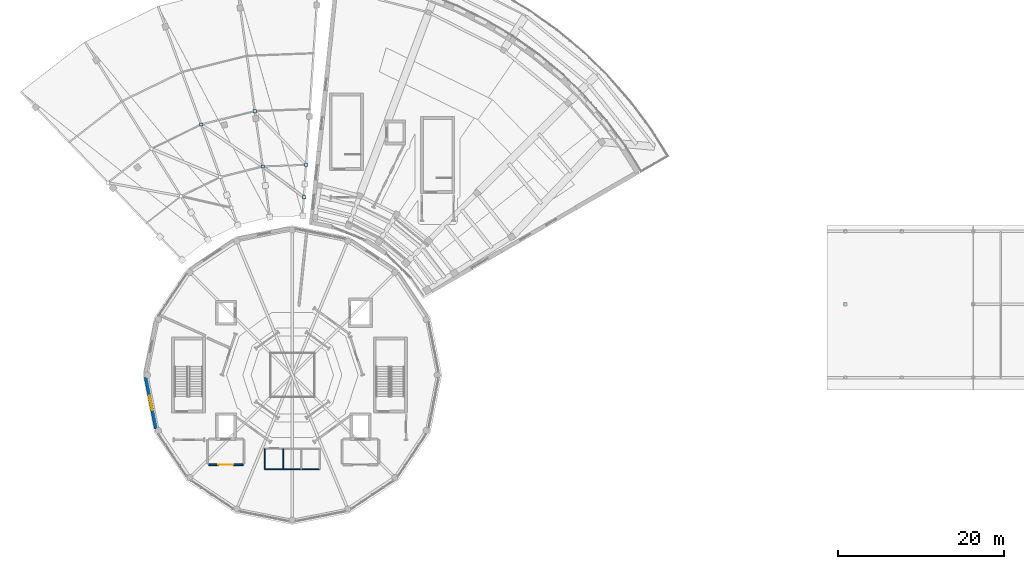
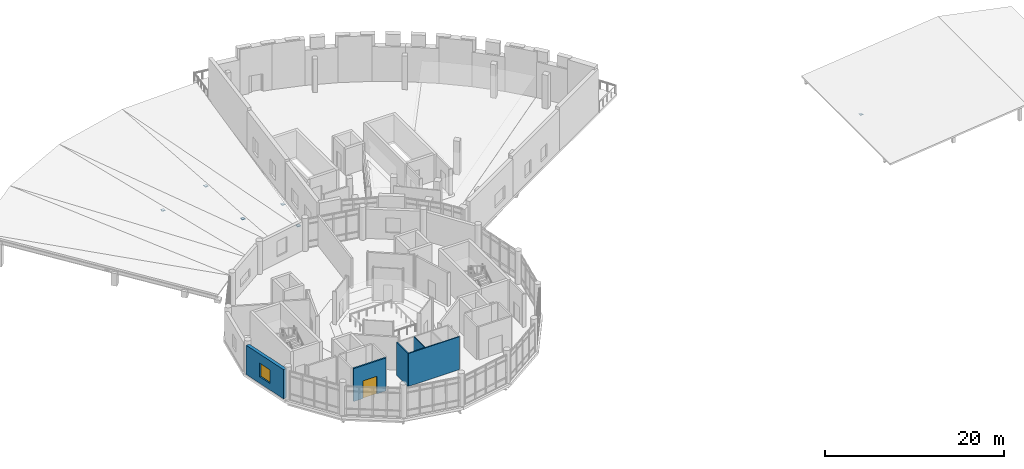
# One storey, part 20 of 27: 7 plates, 5 walls, 1 door, 1 window, 2 openings.
"""IFC4 building model written with IfcOpenShell, lengths in metres."""

import ifcopenshell
import ifcopenshell.guid

model = None  # the IFC model being written
_history = None  # IfcOwnerHistory: only IFC2X3 demands one
_inside = {}  # id of a spatial element -> (the spatial element, [elements in it])
_under = {}  # id of a project, library or spatial element -> (it, [spatial elements below it])
_declared = {}  # id of a project -> (the project, [libraries it declares])
_typed = {}  # id of a type object -> (the type object, [elements of that type])
_made_of = {}  # id of a material, layer set ... -> (it, [elements and type objects made of it])


def new_model(schema):
    """Start an empty IFC model of exactly this schema.

    Asked for "IFC4X3", IfcOpenShell would pick the latest addendum, in which some entities
    have other attributes; the version numbers below select the first issue.
    IFC2X3 requires an IfcOwnerHistory on every rooted entity: one is made here for all.
    """
    global model, _history
    if schema == "IFC4X3":
        model = ifcopenshell.file(schema_version=(4, 3, 0, 0))
    else:
        model = ifcopenshell.file(schema=schema)
    _inside.clear()
    _under.clear()
    _declared.clear()
    _typed.clear()
    _made_of.clear()
    _history = None
    if model.schema == "IFC2X3":
        org = make("IfcOrganization", Name="unknown")
        user = make(
            "IfcPersonAndOrganization",
            ThePerson=make("IfcPerson", FamilyName="unknown"),
            TheOrganization=org,
        )
        app = make(
            "IfcApplication",
            ApplicationDeveloper=org,
            Version="unknown",
            ApplicationFullName="unknown",
            ApplicationIdentifier="unknown",
        )
        _history = make(
            "IfcOwnerHistory",
            OwningUser=user,
            OwningApplication=app,
            ChangeAction="ADDED",
            CreationDate=0,
        )
    return model


def make(cls, **values):
    """One entity of the class cls with the attributes given. An attribute that is None is left unset."""
    return model.create_entity(
        cls, **{name: value for name, value in values.items() if value is not None}
    )


def rooted(cls, **values):
    """An entity with a GlobalId (a new one), such as an element, a storey or a relation."""
    return make(cls, GlobalId=ifcopenshell.guid.new(), OwnerHistory=_history, **values)


def si_unit(unit_type, name, prefix=None):
    """IfcSIUnit, for example si_unit("LENGTHUNIT", "METRE", prefix="MILLI")."""
    return make("IfcSIUnit", UnitType=unit_type, Prefix=prefix, Name=name)


def assignment(units):
    """IfcUnitAssignment: the units of a project."""
    return None if units is None else make("IfcUnitAssignment", Units=units)


def point(xyz):
    """IfcCartesianPoint."""
    return None if xyz is None else make("IfcCartesianPoint", Coordinates=xyz)


def direction(xyz):
    """IfcDirection."""
    return None if xyz is None else make("IfcDirection", DirectionRatios=xyz)


def frame(location, z_axis=None, x_axis=None):
    """IfcAxis2Placement3D, a coordinate frame: its origin and axes. An axis left out is left unset."""
    return make(
        "IfcAxis2Placement3D",
        Location=point(location),
        Axis=direction(z_axis),
        RefDirection=direction(x_axis),
    )


def frame_2d(location, x_axis=None):
    """IfcAxis2Placement2D, a coordinate frame in the plane: its origin and x axis."""
    return make(
        "IfcAxis2Placement2D", Location=point(location), RefDirection=direction(x_axis)
    )


def origin():
    """The frame at (0, 0, 0) with its axes left unset."""
    return frame((0.0, 0.0, 0.0))


def origin_2d():
    """The frame at (0, 0) in the plane with its x axis left unset."""
    return frame_2d((0.0, 0.0))


def place(relative_to, where):
    """IfcLocalPlacement: puts the frame where relative to a parent placement (None: the world)."""
    return make(
        "IfcLocalPlacement", PlacementRelTo=relative_to, RelativePlacement=where
    )


def context(
    kind, dimensions, precision=None, world=None, true_north=None, identifier=None
):
    """IfcGeometricRepresentationContext, for example the 3D "Model" context."""
    return make(
        "IfcGeometricRepresentationContext",
        ContextIdentifier=identifier,
        ContextType=kind,
        CoordinateSpaceDimension=dimensions,
        Precision=precision,
        WorldCoordinateSystem=world,
        TrueNorth=true_north,
    )


def subcontext(parent, identifier, kind, view, scale=None):
    """IfcGeometricRepresentationSubContext, for example "Body" below "Model"."""
    return make(
        "IfcGeometricRepresentationSubContext",
        ContextIdentifier=identifier,
        ContextType=kind,
        ParentContext=parent,
        TargetScale=scale,
        TargetView=view,
    )


def project(units=None, contexts=None):
    """IfcProject with its units and contexts."""
    return rooted(
        "IfcProject",
        Name="project",
        RepresentationContexts=contexts,
        UnitsInContext=assignment(units),
    )


def spatial(cls, under=None, at=None, **own):
    """A site, building, storey or space (cls), placed at a placement, below another one or the project."""
    s = rooted(cls, ObjectPlacement=at, **own)
    if under is not None:
        _under.setdefault(under.id(), (under, []))[1].append(s)
    return s


def profile(cls, at=None, kind="AREA", **sizes):
    """A parametric profile (cls). Its sizes go by their IFC names, for example OverallWidth=200.0."""
    return make(cls, ProfileType=kind, Position=at, **sizes)


def rectangle(**sizes):
    """IfcRectangleProfileDef."""
    return profile("IfcRectangleProfileDef", **sizes)


def extrude(swept, where, along, depth):
    """IfcExtrudedAreaSolid: the profile swept, set in the frame where, extruded along a direction by depth."""
    return make(
        "IfcExtrudedAreaSolid",
        SweptArea=swept,
        Position=where,
        ExtrudedDirection=direction(along),
        Depth=depth,
    )


def shape(context_of_items, identifier, shape_type, items):
    """IfcShapeRepresentation: the items that make up one representation, for example the "Body"."""
    return make(
        "IfcShapeRepresentation",
        ContextOfItems=context_of_items,
        RepresentationIdentifier=identifier,
        RepresentationType=shape_type,
        Items=items,
    )


def material(Name=None, Category=None):
    """IfcMaterial."""
    return make("IfcMaterial", Name=Name, Category=Category)


def layer(
    of_material, thickness, ventilated=None, Name=None, Category=None, Priority=None
):
    """IfcMaterialLayer: one layer of a wall or slab, of a material (None: an air gap)."""
    return make(
        "IfcMaterialLayer",
        Material=of_material,
        LayerThickness=thickness,
        IsVentilated=ventilated,
        Name=Name,
        Category=Category,
        Priority=Priority,
    )


def layer_set(layers, Name=None):
    """IfcMaterialLayerSet."""
    return make("IfcMaterialLayerSet", MaterialLayers=layers, LayerSetName=Name)


def made_of(thing, what):
    """Note that an element or type object is made of a material, layer set ...; save() writes the relation."""
    if what is not None:
        _made_of.setdefault(what.id(), (what, []))[1].append(thing)
    return thing


def type_object(cls, material=None, **own):
    """A type object (cls), such as IfcWallType, which elements share."""
    return made_of(rooted(cls, **own), material)


def element(
    cls,
    number,
    at=None,
    inside=None,
    cuts=None,
    type_object=None,
    material=None,
    context=None,
    identifier="Body",
    shape_type=None,
    held_by="IfcProductDefinitionShape",
    body=None,
    shapes=None,
    **own,
):
    """One element of the class cls, such as IfcWall. Its Tag is "e" and its number.

    at: its placement. inside: the storey or other place that contains it. cuts: it is an
    opening in that element (IfcRelVoidsElement). A single representation is given by context,
    identifier, shape_type and body (its items); several are given by shapes. held_by: the class
    of the entity that holds the representations. save() writes the other relations.
    """
    e = rooted(cls, Tag="e%d" % number, ObjectPlacement=at, **own)
    if body is not None:
        shapes = [shape(context, identifier, shape_type, body)]
    if shapes is not None:
        e.Representation = make(held_by, Representations=shapes)
    if inside is not None:
        _inside.setdefault(inside.id(), (inside, []))[1].append(e)
    if cuts is not None:
        rooted(
            "IfcRelVoidsElement", RelatingBuildingElement=cuts, RelatedOpeningElement=e
        )
    if type_object is not None:
        _typed.setdefault(type_object.id(), (type_object, []))[1].append(e)
    return made_of(e, material)


def fill(opening, filler):
    """IfcRelFillsElement: the door or window that sits in an opening."""
    return rooted(
        "IfcRelFillsElement",
        RelatingOpeningElement=opening,
        RelatedBuildingElement=filler,
    )


def aggregate(whole, parts):
    """IfcRelAggregates: a whole, such as a stair, and the parts it consists of."""
    return rooted("IfcRelAggregates", RelatingObject=whole, RelatedObjects=parts)


def save(model, path):
    """Write the relations noted so far, then the file.

    IfcRelAggregates (storeys below a building ...), IfcRelContainedInSpatialStructure (elements
    in a storey), IfcRelDefinesByType, IfcRelAssociatesMaterial and IfcRelDeclares: one each for
    every whole, place, type object, material and project.
    """
    for whole, parts in _under.values():
        aggregate(whole, parts)
    for where, things in _inside.values():
        rooted(
            "IfcRelContainedInSpatialStructure",
            RelatedElements=things,
            RelatingStructure=where,
        )
    for kind, things in _typed.values():
        rooted("IfcRelDefinesByType", RelatedObjects=things, RelatingType=kind)
    for what, things in _made_of.values():
        rooted("IfcRelAssociatesMaterial", RelatedObjects=things, RelatingMaterial=what)
    for by, libraries in _declared.values():
        rooted("IfcRelDeclares", RelatingContext=by, RelatedDefinitions=libraries)
    model.write(path)


model = new_model("IFC4")

# Units and contexts
model_context = context("Model", 3, precision=1e-05, world=origin(), true_north=direction((0.0, 1.0)))
body_context = subcontext(model_context, "Body", "Model", "MODEL_VIEW")
ifc_project = project(units=[si_unit("LENGTHUNIT", "METRE"), si_unit("AREAUNIT", "SQUARE_METRE"), si_unit("VOLUMEUNIT", "CUBIC_METRE"), si_unit("PLANEANGLEUNIT", "RADIAN"), si_unit("MASSUNIT", "GRAM", prefix="KILO")], contexts=[model_context])

# Site, building, storey
site_placement = place(None, origin())
site = spatial("IfcSite", under=ifc_project, at=site_placement, CompositionType="ELEMENT")
building_placement = place(site_placement, origin())
building = spatial("IfcBuilding", under=site, at=building_placement, Name="Soyqirgoq Riverine Aquarium", CompositionType="ELEMENT")
storey_placement = place(building_placement, frame((0.0, 0.0, 19.800048828125)))
storey = spatial("IfcBuildingStorey", under=building, at=storey_placement, Name="L05", CompositionType="ELEMENT", Elevation=19.800048828125)

# Plates
ifc_material_1 = material(Name="Structural steel S355", Category="steel")
ifc_layer_1 = layer(ifc_material_1, 0.031982421875)
ifc_layer_set_1 = layer_set([ifc_layer_1], Name="Structural steel S355")
plate_type_1 = type_object("IfcPlateType", Name="NodeGussetPlate_32_S355", PredefinedType="SHEET", material=ifc_layer_set_1)
for number, where, z_axis, x_axis, name in (
    (1, (57.681396484375, 82.315185546875, 0.85693359375), (0.0, 0.0, 1.0), (1.0, 0.0, 0.0), "V4 Lateral Wind Brace End Gusset 133"),
    (2, (51.476806640625, 88.78271484375, 1.60107421875), (0.0, 0.0, 1.0), (1.0, 0.0, 0.0), "V4 Lateral Wind Brace End Gusset 134"),
    (3, (52.42529296875, 82.117919921875, 0.8818359375), (0.0, 0.0, 1.0), (1.0, 0.0, 0.0), "V4 Lateral Wind Brace End Gusset 135"),
    (4, (45.02001953125, 87.1669921875, 1.5458984375), (0.0, 0.0, 1.0), (1.0, 0.0, 0.0), "V4 Lateral Wind Brace End Gusset 136"),
    (5, (57.421142578125, 78.39697265625, 0.3974609375), (0.0, 0.0, 1.0), (1.0, 0.0, 0.0), "V4 Lateral Sub-Rafter Brace End Gusset 157"),
    (6, (52.42529296875, 82.117919921875, 0.841796875), (0.0, 0.0, 1.0), (1.0, 0.0, 0.0), "V4 Lateral Sub-Rafter Brace End Gusset 158"),
):
    element("IfcPlate", number, at=place(storey_placement, frame(where, z_axis=z_axis, x_axis=x_axis)), inside=storey, type_object=plate_type_1, Name=name, PredefinedType="SHEET", context=body_context, shape_type="SweptSolid", body=[
        extrude(rectangle(XDim=0.39990234375, YDim=0.39990234375, at=origin_2d()), origin(), (0.0, 0.0, 1.0), 0.031982421875),
    ])
ifc_material_2 = material(Name="Structural steel S355", Category="steel")
ifc_layer_2 = layer(ifc_material_2, 0.02490234375)
ifc_layer_set_2 = layer_set([ifc_layer_2], Name="Structural steel S355")
plate_type_2 = type_object("IfcPlateType", Name="TubeCapPlate_25_S355", PredefinedType="USERDEFINED", material=ifc_layer_set_2)
plate_placement = place(storey_placement, frame((122.60009765625, 65.5, 0.58837890625), z_axis=(0.0, 0.0, 1.0), x_axis=(1.0, 0.0, 0.0)))
element("IfcPlate", 7, at=plate_placement, inside=storey, type_object=plate_type_2, Name="V7 Roof Column W02 Hollow Section Top Cap Plate", ObjectType="FLANGE_PLATE", PredefinedType="USERDEFINED", context=body_context, shape_type="SweptSolid", body=[
    extrude(rectangle(XDim=0.3798828125, YDim=0.3798828125, at=origin_2d()), origin(), (0.0, 0.0, 1.0), 0.02490234375),
])

# Walls
ifc_material_3 = material(Name="Moisture-resistant cement-board wet-room partition", Category="gypsum")
ifc_layer_3 = layer(ifc_material_3, 0.125)
ifc_layer_set_3 = layer_set([ifc_layer_3], Name="Moisture-resistant cement-board wet-room partition")
wall_type_1 = type_object("IfcWallType", Name="PartitionWall_125_Wet", PredefinedType="PARTITIONING", material=ifc_layer_set_3)
wall_1_placement = place(storey_placement, frame((52.699951171875, 45.64990234375, 0.0), z_axis=(0.0, 0.0, 1.0), x_axis=(1.0, 0.0, 0.0)))
element("IfcWall", 8, at=wall_1_placement, inside=storey, type_object=wall_type_1, Name="V1 L05 WC Suite Back Wall", PredefinedType="PARTITIONING", context=body_context, shape_type="SweptSolid", body=[
    extrude(rectangle(XDim=6.60009765625, YDim=0.125, at=frame_2d((3.300048828125, 0.0))), origin(), (0.0, 0.0, 1.0), 4.5),
])
for number, where, z_axis, x_axis, name in (
    (9, (52.699951171875, 45.64990234375, 0.0), (0.0, 0.0, 1.0), (0.0, 1.0, 0.0), "V1 L05 WC Suite West Wall"),
    (10, (54.89990234375, 45.64990234375, 0.0), (0.0, 0.0, 1.0), (0.0, 1.0, 0.0), "V1 L05 WC Cubicle Divider 1"),
):
    element("IfcWall", number, at=place(storey_placement, frame(where, z_axis=z_axis, x_axis=x_axis)), inside=storey, type_object=wall_type_1, Name=name, PredefinedType="PARTITIONING", context=body_context, shape_type="SweptSolid", body=[
        extrude(rectangle(XDim=2.5, YDim=0.125, at=frame_2d((1.25, 0.0))), origin(), (0.0, 0.0, 1.0), 4.5),
    ])

# Wall, opening, door
ifc_material_4 = material(Name="Fire-rated calcium silicate twin-stud partition", Category="gypsum")
ifc_layer_4 = layer(ifc_material_4, 0.199951171875)
ifc_layer_set_4 = layer_set([ifc_layer_4], Name="Fire-rated calcium silicate twin-stud partition")
wall_type_2 = type_object("IfcWallType", Name="PartitionWall_200_EI90", PredefinedType="PARTITIONING", material=ifc_layer_set_4)
wall_2_placement = place(storey_placement, frame((45.919921875, 46.199951171875, 0.0), z_axis=(0.0, 0.0, 1.0), x_axis=(1.0, 0.0, 0.0)))
wall_2 = element("IfcWall", 11, at=wall_2_placement, inside=storey, type_object=wall_type_2, Name="CORE-1B L05 Firefighting Lobby South Enclosure Wall", PredefinedType="PARTITIONING", context=body_context, shape_type="SweptSolid", body=[
    extrude(rectangle(XDim=4.16015625, YDim=0.199951171875, at=frame_2d((2.080078125, 0.0))), origin(), (0.0, 0.0, 1.0), 4.5),
])
opening_1_placement = place(wall_2_placement, frame((1.179931640625, 0.0, 0.0)))
opening_1 = element("IfcOpeningElement", 12, at=opening_1_placement, cuts=wall_2, Name="Opening FD-02", PredefinedType="OPENING", context=body_context, shape_type="SweptSolid", body=[
    extrude(rectangle(XDim=1.800048828125, YDim=2.39990234375, at=frame_2d((0.89990234375, 1.199951171875))), frame((0.0, 0.10986328125, 0.0), z_axis=(0.0, -1.0, 0.0), x_axis=(1.0, 0.0, 0.0)), (0.0, 0.0, 1.0), 0.219970703125),
])
ifc_material_5 = material(Name="Glazed steel fire-resisting corridor double door", Category="steel")
door_type = type_object("IfcDoorType", Name="LobbyFireDoor_1800x2400_EI60", OperationType="DOUBLE_DOOR_SINGLE_SWING", PredefinedType="DOOR", material=ifc_material_5)
door_placement = place(opening_1_placement, origin())
door = element("IfcDoor", 13, at=door_placement, inside=storey, type_object=door_type, Name="DR-FFL-CORE-1B-L05 CORE-1B L05 Firefighting Lobby Fire Door", OperationType="DOUBLE_DOOR_SINGLE_SWING", OverallHeight=2.39990234375, OverallWidth=1.800048828125, PredefinedType="DOOR", context=body_context, shape_type="SweptSolid", body=[
    extrude(rectangle(XDim=1.800048828125, YDim=2.39990234375, at=frame_2d((0.89990234375, 1.199951171875))), frame((0.0, 0.02490234375, 0.0), z_axis=(0.0, -1.0, 0.0), x_axis=(1.0, 0.0, 0.0)), (0.0, 0.0, 1.0), 0.050048828125),
])
fill(opening_1, door)

# Wall, opening, window
ifc_material_6 = material(Name="Honed travertine limestone cavity wall", Category="masonry")
ifc_layer_5 = layer(ifc_material_6, 0.419921875)
ifc_layer_set_5 = layer_set([ifc_layer_5], Name="Honed travertine limestone cavity wall")
wall_type_3 = type_object("IfcWallType", Name="TravertineSpandrelWall_420", PredefinedType="SOLIDWALL", material=ifc_layer_set_5)
wall_3_placement = place(storey_placement, frame((39.590576171875, 50.51220703125, 0.0), z_axis=(0.0, 0.0, 1.0), x_axis=(-0.195121154489, 0.980779146939, 0.0)))
wall_3 = element("IfcWall", 14, at=wall_3_placement, inside=storey, type_object=wall_type_3, Name="V1 L05 Exterior Travertine Wall 0038", PredefinedType="SOLIDWALL", context=body_context, shape_type="SweptSolid", body=[
    extrude(rectangle(XDim=6.32373046875, YDim=0.419921875, at=frame_2d((3.161865234375, 0.0))), origin(), (0.0, 0.0, 1.0), 3.989990234375),
])
opening_2_placement = place(wall_3_placement, frame((2.286865234375, 0.0, 0.89990234375)))
opening_2 = element("IfcOpeningElement", 15, at=opening_2_placement, cuts=wall_3, Name="Opening WN-19", PredefinedType="OPENING", context=body_context, shape_type="SweptSolid", body=[
    extrude(rectangle(XDim=1.75, YDim=1.85009765625, at=frame_2d((0.875, 0.925048828125))), frame((0.0, 0.219970703125, 0.0), z_axis=(0.0, -1.0, 0.0), x_axis=(1.0, 0.0, 0.0)), (0.0, 0.0, 1.0), 0.43994140625),
])
ifc_material_7 = material(Name="Thermally broken aluminium triple low-E window", Category="aluminium")
window_type = type_object("IfcWindowType", Name="Win_Office_1750x1850", PartitioningType="DOUBLE_PANEL_VERTICAL", PredefinedType="WINDOW", material=ifc_material_7)
window_placement = place(opening_2_placement, origin())
window = element("IfcWindow", 16, at=window_placement, inside=storey, type_object=window_type, Name="V1 L05 Facade Window 0020", OverallHeight=1.85009765625, OverallWidth=1.75, PartitioningType="DOUBLE_PANEL_VERTICAL", PredefinedType="WINDOW", context=body_context, shape_type="SweptSolid", body=[
    extrude(rectangle(XDim=1.75, YDim=1.85009765625, at=frame_2d((0.875, 0.925048828125))), frame((0.0, 0.030029296875, 0.0), z_axis=(0.0, -1.0, 0.0), x_axis=(1.0, 0.0, 0.0)), (0.0, 0.0, 1.0), 0.06005859375),
])
fill(opening_2, window)

save(model, "model.ifc")
